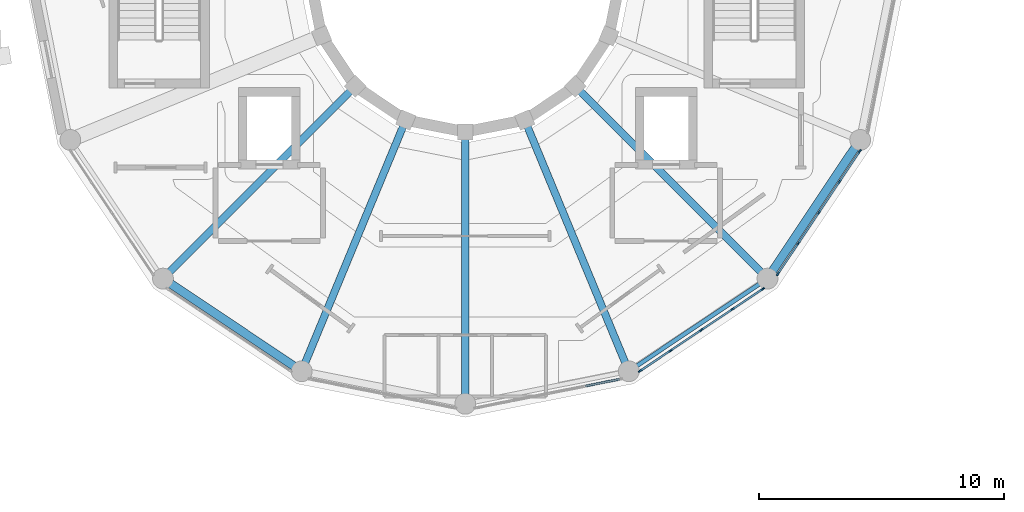
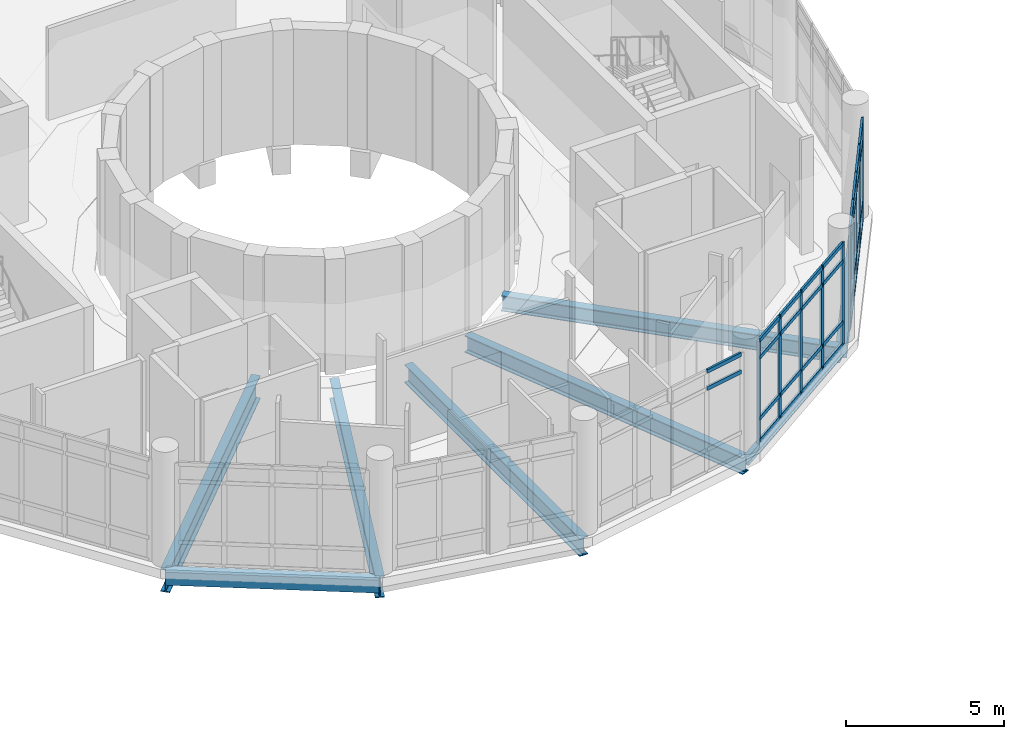
# One storey, part 10 of 49: 44 members, 8 beams, 3 elements without a shape of their own.
"""IFC4 building model written with IfcOpenShell, lengths in metres."""

from ifc_helpers import new_model, si_unit, direction, frame, origin, origin_2d, place, context, subcontext, project, spatial, rectangle, i_section, extrude, material, material_profile, profile_set, type_object, element, aggregate, save


model = new_model("IFC4")

# Units and contexts
model_context = context("Model", 3, precision=1e-05, world=origin(), true_north=direction((0.0, 1.0)))
body_context = subcontext(model_context, "Body", "Model", "MODEL_VIEW")
ifc_project = project(units=[si_unit("LENGTHUNIT", "METRE"), si_unit("AREAUNIT", "SQUARE_METRE"), si_unit("VOLUMEUNIT", "CUBIC_METRE"), si_unit("PLANEANGLEUNIT", "RADIAN"), si_unit("MASSUNIT", "GRAM", prefix="KILO")], contexts=[model_context])

# Site, building, storey
site_placement = place(None, origin())
site = spatial("IfcSite", under=ifc_project, at=site_placement, CompositionType="ELEMENT")
building_placement = place(site_placement, origin())
building = spatial("IfcBuilding", under=site, at=building_placement, Name="Soyqirgoq Riverine Aquarium", CompositionType="ELEMENT")
storey_placement = place(building_placement, frame((0.0, 0.0, 15.0)))
storey = spatial("IfcBuildingStorey", under=building, at=storey_placement, Name="L04", CompositionType="ELEMENT", Elevation=15.0)

# Curtain wall, members
ifc_material_1 = material(Name="Anodised aluminium thermally broken triple low-E glazing", Category="aluminium")
curtain_wall_type = type_object("IfcCurtainWallType", Name="CW_DrumGallery_Unitised", PredefinedType="NOTDEFINED", material=ifc_material_1)
curtain_wall_1_placement = place(storey_placement, origin())
curtain_wall_1 = element("IfcCurtainWall", 1, at=curtain_wall_1_placement, inside=storey, type_object=curtain_wall_type, Name="V1 L04 Curtain Wall 063", PredefinedType="NOTDEFINED")
ifc_material_2 = material(Name="Anodised aluminium 6063-T6", Category="aluminium")
ifc_material_profile_1 = material_profile(ifc_material_2, rectangle(XDim=0.06494140625, YDim=0.179931640625, at=origin_2d()), Name="ALU-M 65x180")
ifc_profile_set_1 = profile_set([ifc_material_profile_1], Name="Anodised aluminium 6063-T6")
member_type_1 = type_object("IfcMemberType", Name="CWMullion_65x180", PredefinedType="MULLION", material=ifc_profile_set_1)
member_1_placement = place(storey_placement, frame((63.149658203125, 40.898681640625, 0.0), z_axis=(0.0, 0.0, 1.0), x_axis=(-0.555578639957, 0.831463994905, 0.0)))
member_1 = element("IfcMember", 2, at=member_1_placement, type_object=member_type_1, Name="CW-01 mullion 1", PredefinedType="MULLION", context=body_context, shape_type="SweptSolid", body=[
    extrude(rectangle(XDim=0.06494140625, YDim=0.179931640625, at=origin_2d()), origin(), (0.0, 0.0, 1.0), 3.949951171875),
])
member_2_placement = place(storey_placement, frame((64.3837890625, 41.72314453125, 0.0), z_axis=(0.0, 0.0, 1.0), x_axis=(-0.555578639957, 0.831463994905, 0.0)))
member_2 = element("IfcMember", 3, at=member_2_placement, type_object=member_type_1, Name="CW-01 mullion 2", PredefinedType="MULLION", context=body_context, shape_type="SweptSolid", body=[
    extrude(rectangle(XDim=0.06494140625, YDim=0.179931640625, at=origin_2d()), origin(), (0.0, 0.0, 1.0), 3.949951171875),
])
member_3_placement = place(storey_placement, frame((65.64453125, 42.565673828125, 0.0), z_axis=(0.0, 0.0, 1.0), x_axis=(-0.555578639957, 0.831463994905, 0.0)))
member_3 = element("IfcMember", 4, at=member_3_placement, type_object=member_type_1, Name="CW-01 mullion 3", PredefinedType="MULLION", context=body_context, shape_type="SweptSolid", body=[
    extrude(rectangle(XDim=0.06494140625, YDim=0.179931640625, at=origin_2d()), origin(), (0.0, 0.0, 1.0), 3.949951171875),
])
member_4_placement = place(storey_placement, frame((66.905517578125, 43.408203125, 0.0), z_axis=(0.0, 0.0, 1.0), x_axis=(-0.555578639957, 0.831463994905, 0.0)))
member_4 = element("IfcMember", 5, at=member_4_placement, type_object=member_type_1, Name="CW-01 mullion 4", PredefinedType="MULLION", context=body_context, shape_type="SweptSolid", body=[
    extrude(rectangle(XDim=0.06494140625, YDim=0.179931640625, at=origin_2d()), origin(), (0.0, 0.0, 1.0), 3.949951171875),
])
member_5_placement = place(storey_placement, frame((68.1396484375, 44.23291015625, 0.0), z_axis=(0.0, 0.0, 1.0), x_axis=(-0.555578639957, 0.831463994905, 0.0)))
member_5 = element("IfcMember", 6, at=member_5_placement, type_object=member_type_1, Name="CW-01 mullion 5", PredefinedType="MULLION", context=body_context, shape_type="SweptSolid", body=[
    extrude(rectangle(XDim=0.06494140625, YDim=0.179931640625, at=origin_2d()), origin(), (0.0, 0.0, 1.0), 3.949951171875),
])

curtain_wall_2_placement = place(storey_placement, origin())
curtain_wall_2 = element("IfcCurtainWall", 7, at=curtain_wall_2_placement, inside=storey, type_object=curtain_wall_type, Name="V1 L04 Curtain Wall 068", PredefinedType="NOTDEFINED")
member_6_placement = place(storey_placement, frame((68.76708984375, 44.8603515625, 0.0), z_axis=(0.0, 0.0, 1.0), x_axis=(-0.831463994905, 0.555578639957, 0.0)))
member_6 = element("IfcMember", 8, at=member_6_placement, type_object=member_type_1, Name="CW-01 mullion 1", PredefinedType="MULLION", context=body_context, shape_type="SweptSolid", body=[
    extrude(rectangle(XDim=0.06494140625, YDim=0.179931640625, at=origin_2d()), origin(), (0.0, 0.0, 1.0), 3.949951171875),
])
member_7_placement = place(storey_placement, frame((69.591796875, 46.094482421875, 0.0), z_axis=(0.0, 0.0, 1.0), x_axis=(-0.831463994905, 0.555578639957, 0.0)))
member_7 = element("IfcMember", 9, at=member_7_placement, type_object=member_type_1, Name="CW-01 mullion 2", PredefinedType="MULLION", context=body_context, shape_type="SweptSolid", body=[
    extrude(rectangle(XDim=0.06494140625, YDim=0.179931640625, at=origin_2d()), origin(), (0.0, 0.0, 1.0), 3.949951171875),
])
member_8_placement = place(storey_placement, frame((70.434326171875, 47.35546875, 0.0), z_axis=(0.0, 0.0, 1.0), x_axis=(-0.831463994905, 0.555578639957, 0.0)))
member_8 = element("IfcMember", 10, at=member_8_placement, type_object=member_type_1, Name="CW-01 mullion 3", PredefinedType="MULLION", context=body_context, shape_type="SweptSolid", body=[
    extrude(rectangle(XDim=0.06494140625, YDim=0.179931640625, at=origin_2d()), origin(), (0.0, 0.0, 1.0), 3.949951171875),
])
member_9_placement = place(storey_placement, frame((71.27685546875, 48.6162109375, 0.0), z_axis=(0.0, 0.0, 1.0), x_axis=(-0.831463994905, 0.555578639957, 0.0)))
member_9 = element("IfcMember", 11, at=member_9_placement, type_object=member_type_1, Name="CW-01 mullion 4", PredefinedType="MULLION", context=body_context, shape_type="SweptSolid", body=[
    extrude(rectangle(XDim=0.06494140625, YDim=0.179931640625, at=origin_2d()), origin(), (0.0, 0.0, 1.0), 3.949951171875),
])
member_10_placement = place(storey_placement, frame((72.101318359375, 49.850341796875, 0.0), z_axis=(0.0, 0.0, 1.0), x_axis=(-0.831463994905, 0.555578639957, 0.0)))
member_10 = element("IfcMember", 12, at=member_10_placement, type_object=member_type_1, Name="CW-01 mullion 5", PredefinedType="MULLION", context=body_context, shape_type="SweptSolid", body=[
    extrude(rectangle(XDim=0.06494140625, YDim=0.179931640625, at=origin_2d()), origin(), (0.0, 0.0, 1.0), 3.949951171875),
])

curtain_wall_3_placement = place(storey_placement, origin())
curtain_wall_3 = element("IfcCurtainWall", 13, at=curtain_wall_3_placement, inside=storey, type_object=curtain_wall_type, Name="V1 L04 Curtain Wall 058", PredefinedType="NOTDEFINED")
ifc_material_3 = material(Name="Anodised aluminium 6063-T6", Category="aluminium")
ifc_material_profile_2 = material_profile(ifc_material_3, rectangle(XDim=0.074951171875, YDim=0.14990234375, at=origin_2d()), Name="ALU-T 75x150")
ifc_profile_set_2 = profile_set([ifc_material_profile_2], Name="Anodised aluminium 6063-T6")
member_type_2 = type_object("IfcMemberType", Name="CWTransom_75x150", PredefinedType="USERDEFINED", material=ifc_profile_set_2)
member_11_placement = place(storey_placement, frame((60.906005859375, 40.27587890625, 3.25), z_axis=(0.980785260864, 0.195090420246, 0.0), x_axis=(-0.195090420246, 0.980785260864, 0.0)))
member_11 = element("IfcMember", 14, at=member_11_placement, type_object=member_type_2, Name="CW-01 transom 4.3", ObjectType="TRANSOM", PredefinedType="USERDEFINED", context=body_context, shape_type="SweptSolid", body=[
    extrude(rectangle(XDim=0.074951171875, YDim=0.14990234375, at=origin_2d()), origin(), (0.0, 0.0, 1.0), 1.419189453125),
])
member_12_placement = place(storey_placement, frame((60.906005859375, 40.27587890625, 3.91259765625), z_axis=(0.980785260864, 0.195090420246, 0.0), x_axis=(-0.195090420246, 0.980785260864, 0.0)))
member_12 = element("IfcMember", 15, at=member_12_placement, type_object=member_type_2, Name="CW-01 transom 4.4", ObjectType="TRANSOM", PredefinedType="USERDEFINED", context=body_context, shape_type="SweptSolid", body=[
    extrude(rectangle(XDim=0.074951171875, YDim=0.14990234375, at=origin_2d()), origin(), (0.0, 0.0, 1.0), 1.419189453125),
])
aggregate(curtain_wall_3, [member_11, member_12])

# Member
member_13_placement = place(storey_placement, frame((63.1767578125, 40.916748046875, 0.03759765625), z_axis=(0.831494038542, 0.55553367483, 0.0), x_axis=(-0.55553367483, 0.831494038542, 0.0)))
member_13 = element("IfcMember", 16, at=member_13_placement, type_object=member_type_2, Name="CW-01 transom 1.1", ObjectType="TRANSOM", PredefinedType="USERDEFINED", context=body_context, shape_type="SweptSolid", body=[
    extrude(rectangle(XDim=0.074951171875, YDim=0.14990234375, at=origin_2d()), origin(), (0.0, 0.0, 1.0), 1.4189453125),
])

member_14_placement = place(storey_placement, frame((63.1767578125, 40.916748046875, 0.89990234375), z_axis=(0.831494038542, 0.55553367483, 0.0), x_axis=(-0.55553367483, 0.831494038542, 0.0)))
member_14 = element("IfcMember", 17, at=member_14_placement, type_object=member_type_2, Name="CW-01 transom 1.2", ObjectType="TRANSOM", PredefinedType="USERDEFINED", context=body_context, shape_type="SweptSolid", body=[
    extrude(rectangle(XDim=0.074951171875, YDim=0.14990234375, at=origin_2d()), origin(), (0.0, 0.0, 1.0), 1.4189453125),
])

member_15_placement = place(storey_placement, frame((63.1767578125, 40.916748046875, 3.25), z_axis=(0.831494038542, 0.55553367483, 0.0), x_axis=(-0.55553367483, 0.831494038542, 0.0)))
member_15 = element("IfcMember", 18, at=member_15_placement, type_object=member_type_2, Name="CW-01 transom 1.3", ObjectType="TRANSOM", PredefinedType="USERDEFINED", context=body_context, shape_type="SweptSolid", body=[
    extrude(rectangle(XDim=0.074951171875, YDim=0.14990234375, at=origin_2d()), origin(), (0.0, 0.0, 1.0), 1.4189453125),
])

member_16_placement = place(storey_placement, frame((63.1767578125, 40.916748046875, 3.91259765625), z_axis=(0.831494038542, 0.55553367483, 0.0), x_axis=(-0.55553367483, 0.831494038542, 0.0)))
member_16 = element("IfcMember", 19, at=member_16_placement, type_object=member_type_2, Name="CW-01 transom 1.4", ObjectType="TRANSOM", PredefinedType="USERDEFINED", context=body_context, shape_type="SweptSolid", body=[
    extrude(rectangle(XDim=0.074951171875, YDim=0.14990234375, at=origin_2d()), origin(), (0.0, 0.0, 1.0), 1.4189453125),
])

member_17_placement = place(storey_placement, frame((64.41064453125, 41.7412109375, 0.03759765625), z_axis=(0.831506528289, 0.555514980368, 0.0), x_axis=(-0.555514980368, 0.831506528289, 0.0)))
member_17 = element("IfcMember", 20, at=member_17_placement, type_object=member_type_2, Name="CW-01 transom 2.1", ObjectType="TRANSOM", PredefinedType="USERDEFINED", context=body_context, shape_type="SweptSolid", body=[
    extrude(rectangle(XDim=0.074951171875, YDim=0.14990234375, at=origin_2d()), origin(), (0.0, 0.0, 1.0), 1.45166015625),
])

member_18_placement = place(storey_placement, frame((64.41064453125, 41.7412109375, 0.89990234375), z_axis=(0.831506528289, 0.555514980368, 0.0), x_axis=(-0.555514980368, 0.831506528289, 0.0)))
member_18 = element("IfcMember", 21, at=member_18_placement, type_object=member_type_2, Name="CW-01 transom 2.2", ObjectType="TRANSOM", PredefinedType="USERDEFINED", context=body_context, shape_type="SweptSolid", body=[
    extrude(rectangle(XDim=0.074951171875, YDim=0.14990234375, at=origin_2d()), origin(), (0.0, 0.0, 1.0), 1.45166015625),
])

member_19_placement = place(storey_placement, frame((64.41064453125, 41.7412109375, 3.25), z_axis=(0.831506528289, 0.555514980368, 0.0), x_axis=(-0.555514980368, 0.831506528289, 0.0)))
member_19 = element("IfcMember", 22, at=member_19_placement, type_object=member_type_2, Name="CW-01 transom 2.3", ObjectType="TRANSOM", PredefinedType="USERDEFINED", context=body_context, shape_type="SweptSolid", body=[
    extrude(rectangle(XDim=0.074951171875, YDim=0.14990234375, at=origin_2d()), origin(), (0.0, 0.0, 1.0), 1.45166015625),
])

member_20_placement = place(storey_placement, frame((64.41064453125, 41.7412109375, 3.91259765625), z_axis=(0.831506528289, 0.555514980368, 0.0), x_axis=(-0.555514980368, 0.831506528289, 0.0)))
member_20 = element("IfcMember", 23, at=member_20_placement, type_object=member_type_2, Name="CW-01 transom 2.4", ObjectType="TRANSOM", PredefinedType="USERDEFINED", context=body_context, shape_type="SweptSolid", body=[
    extrude(rectangle(XDim=0.074951171875, YDim=0.14990234375, at=origin_2d()), origin(), (0.0, 0.0, 1.0), 1.45166015625),
])

member_21_placement = place(storey_placement, frame((65.671630859375, 42.583740234375, 0.03759765625), z_axis=(0.831428840366, 0.555631247688, 0.0), x_axis=(-0.555631247688, 0.831428840366, 0.0)))
member_21 = element("IfcMember", 24, at=member_21_placement, type_object=member_type_2, Name="CW-01 transom 3.1", ObjectType="TRANSOM", PredefinedType="USERDEFINED", context=body_context, shape_type="SweptSolid", body=[
    extrude(rectangle(XDim=0.074951171875, YDim=0.14990234375, at=origin_2d()), origin(), (0.0, 0.0, 1.0), 1.45166015625),
])

member_22_placement = place(storey_placement, frame((65.671630859375, 42.583740234375, 0.89990234375), z_axis=(0.831428840366, 0.555631247688, 0.0), x_axis=(-0.555631247688, 0.831428840366, 0.0)))
member_22 = element("IfcMember", 25, at=member_22_placement, type_object=member_type_2, Name="CW-01 transom 3.2", ObjectType="TRANSOM", PredefinedType="USERDEFINED", context=body_context, shape_type="SweptSolid", body=[
    extrude(rectangle(XDim=0.074951171875, YDim=0.14990234375, at=origin_2d()), origin(), (0.0, 0.0, 1.0), 1.45166015625),
])

member_23_placement = place(storey_placement, frame((65.671630859375, 42.583740234375, 3.25), z_axis=(0.831428840366, 0.555631247688, 0.0), x_axis=(-0.555631247688, 0.831428840366, 0.0)))
member_23 = element("IfcMember", 26, at=member_23_placement, type_object=member_type_2, Name="CW-01 transom 3.3", ObjectType="TRANSOM", PredefinedType="USERDEFINED", context=body_context, shape_type="SweptSolid", body=[
    extrude(rectangle(XDim=0.074951171875, YDim=0.14990234375, at=origin_2d()), origin(), (0.0, 0.0, 1.0), 1.45166015625),
])

member_24_placement = place(storey_placement, frame((65.671630859375, 42.583740234375, 3.91259765625), z_axis=(0.831428840366, 0.555631247688, 0.0), x_axis=(-0.555631247688, 0.831428840366, 0.0)))
member_24 = element("IfcMember", 27, at=member_24_placement, type_object=member_type_2, Name="CW-01 transom 3.4", ObjectType="TRANSOM", PredefinedType="USERDEFINED", context=body_context, shape_type="SweptSolid", body=[
    extrude(rectangle(XDim=0.074951171875, YDim=0.14990234375, at=origin_2d()), origin(), (0.0, 0.0, 1.0), 1.45166015625),
])

member_25_placement = place(storey_placement, frame((66.9326171875, 43.42626953125, 0.03759765625), z_axis=(0.831414566046, 0.555652606731, 0.0), x_axis=(-0.555652606731, 0.831414566046, 0.0)))
member_25 = element("IfcMember", 28, at=member_25_placement, type_object=member_type_2, Name="CW-01 transom 4.1", ObjectType="TRANSOM", PredefinedType="USERDEFINED", context=body_context, shape_type="SweptSolid", body=[
    extrude(rectangle(XDim=0.074951171875, YDim=0.14990234375, at=origin_2d()), origin(), (0.0, 0.0, 1.0), 1.419189453125),
])

member_26_placement = place(storey_placement, frame((66.9326171875, 43.42626953125, 0.89990234375), z_axis=(0.831414566046, 0.555652606731, 0.0), x_axis=(-0.555652606731, 0.831414566046, 0.0)))
member_26 = element("IfcMember", 29, at=member_26_placement, type_object=member_type_2, Name="CW-01 transom 4.2", ObjectType="TRANSOM", PredefinedType="USERDEFINED", context=body_context, shape_type="SweptSolid", body=[
    extrude(rectangle(XDim=0.074951171875, YDim=0.14990234375, at=origin_2d()), origin(), (0.0, 0.0, 1.0), 1.419189453125),
])

member_27_placement = place(storey_placement, frame((66.9326171875, 43.42626953125, 3.25), z_axis=(0.831414566046, 0.555652606731, 0.0), x_axis=(-0.555652606731, 0.831414566046, 0.0)))
member_27 = element("IfcMember", 30, at=member_27_placement, type_object=member_type_2, Name="CW-01 transom 4.3", ObjectType="TRANSOM", PredefinedType="USERDEFINED", context=body_context, shape_type="SweptSolid", body=[
    extrude(rectangle(XDim=0.074951171875, YDim=0.14990234375, at=origin_2d()), origin(), (0.0, 0.0, 1.0), 1.419189453125),
])

member_28_placement = place(storey_placement, frame((66.9326171875, 43.42626953125, 3.91259765625), z_axis=(0.831414566046, 0.555652606731, 0.0), x_axis=(-0.555652606731, 0.831414566046, 0.0)))
member_28 = element("IfcMember", 31, at=member_28_placement, type_object=member_type_2, Name="CW-01 transom 4.4", ObjectType="TRANSOM", PredefinedType="USERDEFINED", context=body_context, shape_type="SweptSolid", body=[
    extrude(rectangle(XDim=0.074951171875, YDim=0.14990234375, at=origin_2d()), origin(), (0.0, 0.0, 1.0), 1.419189453125),
])

aggregate(curtain_wall_1, [member_1, member_2, member_3, member_4, member_5, member_13, member_14, member_15, member_16, member_17, member_18, member_19, member_20, member_21, member_22, member_23, member_24, member_25, member_26, member_27, member_28])

member_29_placement = place(storey_placement, frame((68.78515625, 44.887451171875, 0.03759765625), z_axis=(0.555652606731, 0.831414566046, 0.0), x_axis=(-0.831414566046, 0.555652606731, 0.0)))
member_29 = element("IfcMember", 32, at=member_29_placement, type_object=member_type_2, Name="CW-01 transom 1.1", ObjectType="TRANSOM", PredefinedType="USERDEFINED", context=body_context, shape_type="SweptSolid", body=[
    extrude(rectangle(XDim=0.074951171875, YDim=0.14990234375, at=origin_2d()), origin(), (0.0, 0.0, 1.0), 1.419189453125),
])

member_30_placement = place(storey_placement, frame((68.78515625, 44.887451171875, 0.89990234375), z_axis=(0.555652606731, 0.831414566046, 0.0), x_axis=(-0.831414566046, 0.555652606731, 0.0)))
member_30 = element("IfcMember", 33, at=member_30_placement, type_object=member_type_2, Name="CW-01 transom 1.2", ObjectType="TRANSOM", PredefinedType="USERDEFINED", context=body_context, shape_type="SweptSolid", body=[
    extrude(rectangle(XDim=0.074951171875, YDim=0.14990234375, at=origin_2d()), origin(), (0.0, 0.0, 1.0), 1.419189453125),
])

member_31_placement = place(storey_placement, frame((68.78515625, 44.887451171875, 3.25), z_axis=(0.555652606731, 0.831414566046, 0.0), x_axis=(-0.831414566046, 0.555652606731, 0.0)))
member_31 = element("IfcMember", 34, at=member_31_placement, type_object=member_type_2, Name="CW-01 transom 1.3", ObjectType="TRANSOM", PredefinedType="USERDEFINED", context=body_context, shape_type="SweptSolid", body=[
    extrude(rectangle(XDim=0.074951171875, YDim=0.14990234375, at=origin_2d()), origin(), (0.0, 0.0, 1.0), 1.419189453125),
])

member_32_placement = place(storey_placement, frame((68.78515625, 44.887451171875, 3.91259765625), z_axis=(0.555652606731, 0.831414566046, 0.0), x_axis=(-0.831414566046, 0.555652606731, 0.0)))
member_32 = element("IfcMember", 35, at=member_32_placement, type_object=member_type_2, Name="CW-01 transom 1.4", ObjectType="TRANSOM", PredefinedType="USERDEFINED", context=body_context, shape_type="SweptSolid", body=[
    extrude(rectangle(XDim=0.074951171875, YDim=0.14990234375, at=origin_2d()), origin(), (0.0, 0.0, 1.0), 1.419189453125),
])

member_33_placement = place(storey_placement, frame((69.609619140625, 46.121337890625, 0.03759765625), z_axis=(0.555631247688, 0.831428840366, 0.0), x_axis=(-0.831428840366, 0.555631247688, 0.0)))
member_33 = element("IfcMember", 36, at=member_33_placement, type_object=member_type_2, Name="CW-01 transom 2.1", ObjectType="TRANSOM", PredefinedType="USERDEFINED", context=body_context, shape_type="SweptSolid", body=[
    extrude(rectangle(XDim=0.074951171875, YDim=0.14990234375, at=origin_2d()), origin(), (0.0, 0.0, 1.0), 1.45166015625),
])

member_34_placement = place(storey_placement, frame((69.609619140625, 46.121337890625, 0.89990234375), z_axis=(0.555631247688, 0.831428840366, 0.0), x_axis=(-0.831428840366, 0.555631247688, 0.0)))
member_34 = element("IfcMember", 37, at=member_34_placement, type_object=member_type_2, Name="CW-01 transom 2.2", ObjectType="TRANSOM", PredefinedType="USERDEFINED", context=body_context, shape_type="SweptSolid", body=[
    extrude(rectangle(XDim=0.074951171875, YDim=0.14990234375, at=origin_2d()), origin(), (0.0, 0.0, 1.0), 1.45166015625),
])

member_35_placement = place(storey_placement, frame((69.609619140625, 46.121337890625, 3.25), z_axis=(0.555631247688, 0.831428840366, 0.0), x_axis=(-0.831428840366, 0.555631247688, 0.0)))
member_35 = element("IfcMember", 38, at=member_35_placement, type_object=member_type_2, Name="CW-01 transom 2.3", ObjectType="TRANSOM", PredefinedType="USERDEFINED", context=body_context, shape_type="SweptSolid", body=[
    extrude(rectangle(XDim=0.074951171875, YDim=0.14990234375, at=origin_2d()), origin(), (0.0, 0.0, 1.0), 1.45166015625),
])

member_36_placement = place(storey_placement, frame((69.609619140625, 46.121337890625, 3.91259765625), z_axis=(0.555631247688, 0.831428840366, 0.0), x_axis=(-0.831428840366, 0.555631247688, 0.0)))
member_36 = element("IfcMember", 39, at=member_36_placement, type_object=member_type_2, Name="CW-01 transom 2.4", ObjectType="TRANSOM", PredefinedType="USERDEFINED", context=body_context, shape_type="SweptSolid", body=[
    extrude(rectangle(XDim=0.074951171875, YDim=0.14990234375, at=origin_2d()), origin(), (0.0, 0.0, 1.0), 1.45166015625),
])

member_37_placement = place(storey_placement, frame((70.452392578125, 47.38232421875, 0.03759765625), z_axis=(0.555514980368, 0.831506528289, 0.0), x_axis=(-0.831506528289, 0.555514980368, 0.0)))
member_37 = element("IfcMember", 40, at=member_37_placement, type_object=member_type_2, Name="CW-01 transom 3.1", ObjectType="TRANSOM", PredefinedType="USERDEFINED", context=body_context, shape_type="SweptSolid", body=[
    extrude(rectangle(XDim=0.074951171875, YDim=0.14990234375, at=origin_2d()), origin(), (0.0, 0.0, 1.0), 1.45166015625),
])

member_38_placement = place(storey_placement, frame((70.452392578125, 47.38232421875, 0.89990234375), z_axis=(0.555514980368, 0.831506528289, 0.0), x_axis=(-0.831506528289, 0.555514980368, 0.0)))
member_38 = element("IfcMember", 41, at=member_38_placement, type_object=member_type_2, Name="CW-01 transom 3.2", ObjectType="TRANSOM", PredefinedType="USERDEFINED", context=body_context, shape_type="SweptSolid", body=[
    extrude(rectangle(XDim=0.074951171875, YDim=0.14990234375, at=origin_2d()), origin(), (0.0, 0.0, 1.0), 1.45166015625),
])

member_39_placement = place(storey_placement, frame((70.452392578125, 47.38232421875, 3.25), z_axis=(0.555514980368, 0.831506528289, 0.0), x_axis=(-0.831506528289, 0.555514980368, 0.0)))
member_39 = element("IfcMember", 42, at=member_39_placement, type_object=member_type_2, Name="CW-01 transom 3.3", ObjectType="TRANSOM", PredefinedType="USERDEFINED", context=body_context, shape_type="SweptSolid", body=[
    extrude(rectangle(XDim=0.074951171875, YDim=0.14990234375, at=origin_2d()), origin(), (0.0, 0.0, 1.0), 1.45166015625),
])

member_40_placement = place(storey_placement, frame((70.452392578125, 47.38232421875, 3.91259765625), z_axis=(0.555514980368, 0.831506528289, 0.0), x_axis=(-0.831506528289, 0.555514980368, 0.0)))
member_40 = element("IfcMember", 43, at=member_40_placement, type_object=member_type_2, Name="CW-01 transom 3.4", ObjectType="TRANSOM", PredefinedType="USERDEFINED", context=body_context, shape_type="SweptSolid", body=[
    extrude(rectangle(XDim=0.074951171875, YDim=0.14990234375, at=origin_2d()), origin(), (0.0, 0.0, 1.0), 1.45166015625),
])

member_41_placement = place(storey_placement, frame((71.294921875, 48.643310546875, 0.03759765625), z_axis=(0.55553367483, 0.831494038542, 0.0), x_axis=(-0.831494038542, 0.55553367483, 0.0)))
member_41 = element("IfcMember", 44, at=member_41_placement, type_object=member_type_2, Name="CW-01 transom 4.1", ObjectType="TRANSOM", PredefinedType="USERDEFINED", context=body_context, shape_type="SweptSolid", body=[
    extrude(rectangle(XDim=0.074951171875, YDim=0.14990234375, at=origin_2d()), origin(), (0.0, 0.0, 1.0), 1.4189453125),
])

member_42_placement = place(storey_placement, frame((71.294921875, 48.643310546875, 0.89990234375), z_axis=(0.55553367483, 0.831494038542, 0.0), x_axis=(-0.831494038542, 0.55553367483, 0.0)))
member_42 = element("IfcMember", 45, at=member_42_placement, type_object=member_type_2, Name="CW-01 transom 4.2", ObjectType="TRANSOM", PredefinedType="USERDEFINED", context=body_context, shape_type="SweptSolid", body=[
    extrude(rectangle(XDim=0.074951171875, YDim=0.14990234375, at=origin_2d()), origin(), (0.0, 0.0, 1.0), 1.4189453125),
])

member_43_placement = place(storey_placement, frame((71.294921875, 48.643310546875, 3.25), z_axis=(0.55553367483, 0.831494038542, 0.0), x_axis=(-0.831494038542, 0.55553367483, 0.0)))
member_43 = element("IfcMember", 46, at=member_43_placement, type_object=member_type_2, Name="CW-01 transom 4.3", ObjectType="TRANSOM", PredefinedType="USERDEFINED", context=body_context, shape_type="SweptSolid", body=[
    extrude(rectangle(XDim=0.074951171875, YDim=0.14990234375, at=origin_2d()), origin(), (0.0, 0.0, 1.0), 1.4189453125),
])

member_44_placement = place(storey_placement, frame((71.294921875, 48.643310546875, 3.91259765625), z_axis=(0.55553367483, 0.831494038542, 0.0), x_axis=(-0.831494038542, 0.55553367483, 0.0)))
member_44 = element("IfcMember", 47, at=member_44_placement, type_object=member_type_2, Name="CW-01 transom 4.4", ObjectType="TRANSOM", PredefinedType="USERDEFINED", context=body_context, shape_type="SweptSolid", body=[
    extrude(rectangle(XDim=0.074951171875, YDim=0.14990234375, at=origin_2d()), origin(), (0.0, 0.0, 1.0), 1.4189453125),
])

aggregate(curtain_wall_2, [member_6, member_7, member_8, member_9, member_10, member_29, member_30, member_31, member_32, member_33, member_34, member_35, member_36, member_37, member_38, member_39, member_40, member_41, member_42, member_43, member_44])

# Beams
ifc_material_4 = material(Name="Concrete C40/50", Category="concrete")
ifc_material_profile_3 = material_profile(ifc_material_4, rectangle(XDim=0.35009765625, YDim=0.5, at=origin_2d()), Name="RC 350x500")
ifc_profile_set_3 = profile_set([ifc_material_profile_3], Name="Concrete C40/50")
beam_type_1 = type_object("IfcBeamType", Name="Spandrel_RC_350x500", PredefinedType="SPANDREL", material=ifc_profile_set_3)
for number, where, z_axis, x_axis, name in (
    (48, (43.677490234375, 44.64990234375, -0.60009765625), (0.83147831173, -0.555557213186, 0.0), (0.555557213186, 0.83147831173, 0.0), "V1 L04 Drum Spandrel Beam 0105"),
    (49, (68.35009765625, 44.677490234375, -0.60009765625), (0.555557213186, 0.83147831173, 0.0), (-0.83147831173, 0.555557213186, 0.0), "V1 L04 Drum Spandrel Beam 0113"),
):
    element("IfcBeam", number, at=place(storey_placement, frame(where, z_axis=z_axis, x_axis=x_axis)), inside=storey, type_object=beam_type_1, Name=name, PredefinedType="SPANDREL", context=body_context, shape_type="SweptSolid", body=[
        extrude(rectangle(XDim=0.35009765625, YDim=0.5, at=origin_2d()), origin(), (0.0, 0.0, 1.0), 6.768798828125),
    ])
ifc_material_5 = material(Name="Structural steel S355", Category="steel")
ifc_material_profile_4 = material_profile(ifc_material_5, i_section(OverallWidth=0.169921875, OverallDepth=0.360107421875, WebThickness=0.008056640625, FlangeThickness=0.0126953125, FilletRadius=0.01806640625, at=origin_2d()), Name="IPE 360")
ifc_profile_set_4 = profile_set([ifc_material_profile_4], Name="Structural steel S355")
beam_type_2 = type_object("IfcBeamType", Name="Spandrel_Steel_IPE360", PredefinedType="SPANDREL", material=ifc_profile_set_4)
beam_1_placement = place(storey_placement, frame((62.6943359375, 40.889404296875, -0.530029296875), z_axis=(0.83147831173, 0.555557213186, 0.0), x_axis=(-0.555557213186, 0.83147831173, 0.0)))
element("IfcBeam", 50, at=beam_1_placement, inside=storey, type_object=beam_type_2, Name="V1 L04 Drum Spandrel Beam 0111", PredefinedType="SPANDREL", context=body_context, shape_type="SweptSolid", body=[
    extrude(i_section(OverallWidth=0.169921875, OverallDepth=0.360107421875, WebThickness=0.008056640625, FlangeThickness=0.0126953125, FilletRadius=0.01806640625, at=origin_2d()), origin(), (0.0, 0.0, 1.0), 6.768798828125),
])
ifc_material_6 = material(Name="Structural steel S355", Category="steel")
ifc_material_profile_5 = material_profile(ifc_material_6, i_section(OverallWidth=0.300048828125, OverallDepth=0.60009765625, WebThickness=0.015380859375, FlangeThickness=0.030029296875, FilletRadius=0.027099609375, at=origin_2d()), Name="HEB 600")
ifc_profile_set_5 = profile_set([ifc_material_profile_5], Name="Structural steel S355")
beam_type_3 = type_object("IfcBeamType", Name="SteelGirder_HEB600", PredefinedType="BEAM", material=ifc_profile_set_5)
beam_2_placement = place(storey_placement, frame((60.497314453125, 52.502685546875, -0.64990234375), z_axis=(0.707106781187, -0.707106781187, 0.0), x_axis=(0.707106781187, 0.707106781187, 0.0)))
element("IfcBeam", 51, at=beam_2_placement, inside=storey, type_object=beam_type_3, Name="V1 L04 Gallery Radial Beam 0114", PredefinedType="BEAM", context=body_context, shape_type="SweptSolid", body=[
    extrude(i_section(OverallWidth=0.300048828125, OverallDepth=0.60009765625, WebThickness=0.015380859375, FlangeThickness=0.030029296875, FilletRadius=0.027099609375, at=origin_2d()), origin(), (0.0, 0.0, 1.0), 11.07958984375),
])
ifc_material_7 = material(Name="Structural steel S355", Category="steel")
ifc_material_profile_6 = material_profile(ifc_material_7, i_section(OverallWidth=0.300048828125, OverallDepth=0.64990234375, WebThickness=0.01611328125, FlangeThickness=0.031005859375, FilletRadius=0.027099609375, at=origin_2d()), Name="HEB 650")
ifc_profile_set_6 = profile_set([ifc_material_profile_6], Name="Structural steel S355")
beam_type_4 = type_object("IfcBeamType", Name="SteelGirder_HEB650", PredefinedType="BEAM", material=ifc_profile_set_6)
beam_3_placement = place(storey_placement, frame((58.433837890625, 51.124267578125, -0.675048828125), z_axis=(0.382683908742, -0.923879335189, 0.0), x_axis=(0.923879335189, 0.382683908742, 0.0)))
element("IfcBeam", 52, at=beam_3_placement, inside=storey, type_object=beam_type_4, Name="V1 L04 Gallery Radial Beam 0112", PredefinedType="BEAM", context=body_context, shape_type="SweptSolid", body=[
    extrude(i_section(OverallWidth=0.300048828125, OverallDepth=0.64990234375, WebThickness=0.01611328125, FlangeThickness=0.031005859375, FilletRadius=0.027099609375, at=origin_2d()), origin(), (0.0, 0.0, 1.0), 11.080322265625),
])
ifc_material_8 = material(Name="Structural steel S355", Category="steel")
ifc_material_profile_7 = material_profile(ifc_material_8, i_section(OverallWidth=0.300048828125, OverallDepth=0.699951171875, WebThickness=0.01708984375, FlangeThickness=0.031982421875, FilletRadius=0.027099609375, at=origin_2d()), Name="HEB 700")
ifc_profile_set_7 = profile_set([ifc_material_profile_7], Name="Structural steel S355")
beam_type_5 = type_object("IfcBeamType", Name="SteelGirder_HEB700", PredefinedType="BEAM", material=ifc_profile_set_7)
beam_4_placement = place(storey_placement, frame((56.0, 50.639892578125, -0.699951171875), z_axis=(0.0, -1.0, 0.0), x_axis=(1.0, 0.0, 0.0)))
element("IfcBeam", 53, at=beam_4_placement, inside=storey, type_object=beam_type_5, Name="V1 L04 Gallery Radial Beam 0110", PredefinedType="BEAM", context=body_context, shape_type="SweptSolid", body=[
    extrude(i_section(OverallWidth=0.300048828125, OverallDepth=0.699951171875, WebThickness=0.01708984375, FlangeThickness=0.031982421875, FilletRadius=0.027099609375, at=origin_2d()), origin(), (0.0, 0.0, 1.0), 11.079833984375),
])
ifc_material_9 = material(Name="Structural steel S355", Category="steel")
ifc_material_profile_8 = material_profile(ifc_material_9, i_section(OverallWidth=0.300048828125, OverallDepth=0.800048828125, WebThickness=0.017578125, FlangeThickness=0.032958984375, FilletRadius=0.030029296875, at=origin_2d()), Name="HEB 800")
ifc_profile_set_8 = profile_set([ifc_material_profile_8], Name="Structural steel S355")
beam_type_6 = type_object("IfcBeamType", Name="SteelGirder_HEB800", PredefinedType="BEAM", material=ifc_profile_set_8)
beam_5_placement = place(storey_placement, frame((53.566162109375, 51.124267578125, -0.75), z_axis=(-0.382683908742, -0.923879335189, 0.0), x_axis=(0.923879335189, -0.382683908742, 0.0)))
element("IfcBeam", 54, at=beam_5_placement, inside=storey, type_object=beam_type_6, Name="V1 L04 Gallery Radial Beam 0108", PredefinedType="BEAM", context=body_context, shape_type="SweptSolid", body=[
    extrude(i_section(OverallWidth=0.300048828125, OverallDepth=0.800048828125, WebThickness=0.017578125, FlangeThickness=0.032958984375, FilletRadius=0.030029296875, at=origin_2d()), origin(), (0.0, 0.0, 1.0), 11.080322265625),
])
ifc_material_10 = material(Name="Structural steel S355", Category="steel")
ifc_material_profile_9 = material_profile(ifc_material_10, i_section(OverallWidth=0.300048828125, OverallDepth=0.89990234375, WebThickness=0.0185546875, FlangeThickness=0.034912109375, FilletRadius=0.030029296875, at=origin_2d()), Name="HEB 900")
ifc_profile_set_9 = profile_set([ifc_material_profile_9], Name="Structural steel S355")
beam_type_7 = type_object("IfcBeamType", Name="SteelGirder_HEB900", PredefinedType="BEAM", material=ifc_profile_set_9)
beam_6_placement = place(storey_placement, frame((51.502685546875, 52.502685546875, -0.800048828125), z_axis=(-0.707106781187, -0.707106781187, 0.0), x_axis=(0.707106781187, -0.707106781187, 0.0)))
element("IfcBeam", 55, at=beam_6_placement, inside=storey, type_object=beam_type_7, Name="V1 L04 Gallery Radial Beam 0106", PredefinedType="BEAM", context=body_context, shape_type="SweptSolid", body=[
    extrude(i_section(OverallWidth=0.300048828125, OverallDepth=0.89990234375, WebThickness=0.0185546875, FlangeThickness=0.034912109375, FilletRadius=0.030029296875, at=origin_2d()), origin(), (0.0, 0.0, 1.0), 11.07958984375),
])

save(model, "model.ifc")
